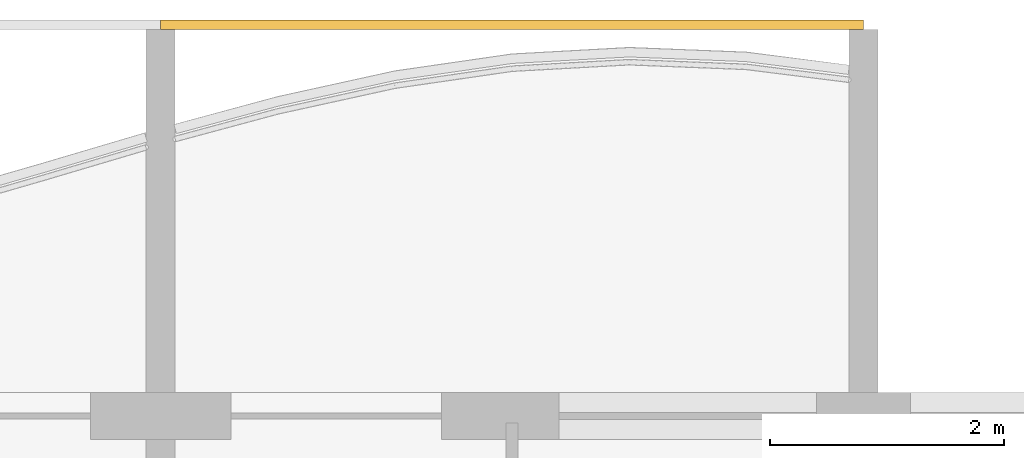
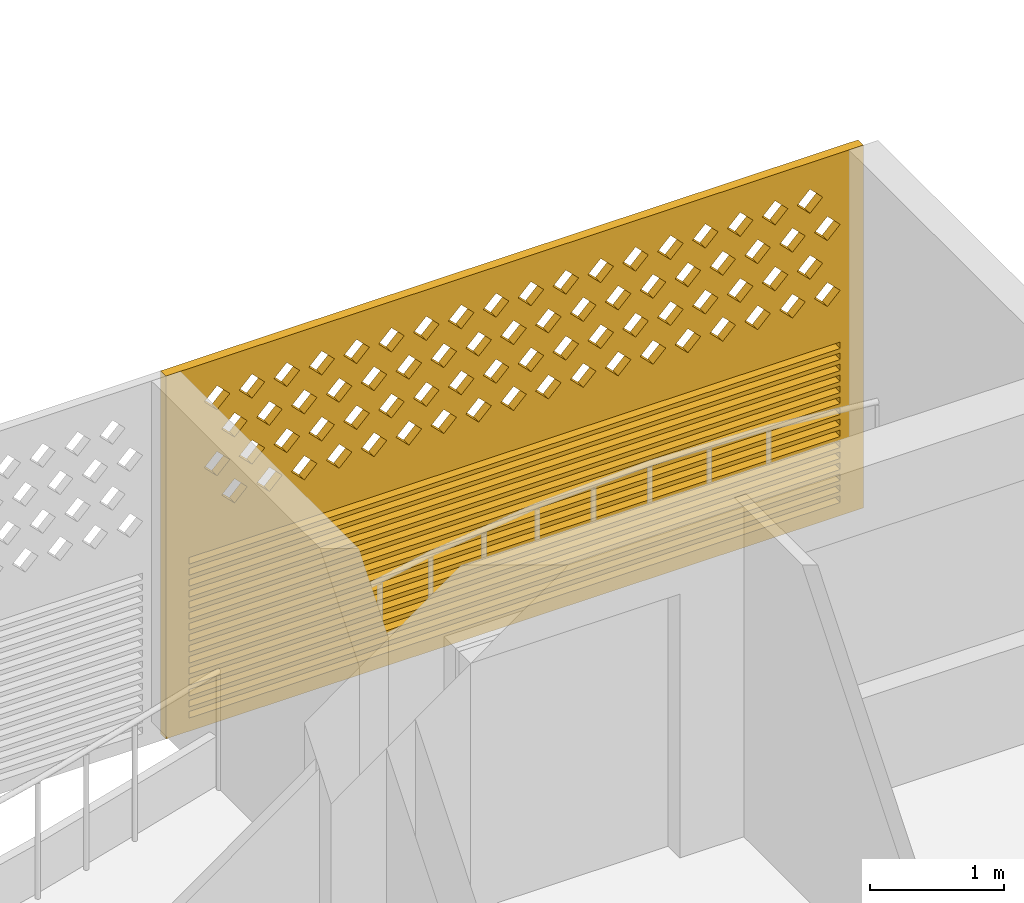
# One storey, part 21 of 27: 1 covering.
"""IFC4 building model written with IfcOpenShell, lengths in metres."""

from ifc_helpers import new_model, si_unit, direction, frame, origin, place, context, subcontext, project, spatial, polyline, outline, extrude, source, transform, mapped, material, material_profile, profile_set, type_object, element, save


model = new_model("IFC4")

# Units and contexts
model_context = context("Model", 3, precision=1e-05, world=origin(), true_north=direction((0.0, 1.0)))
body_context = subcontext(model_context, "Body", "Model", "MODEL_VIEW")
ifc_project = project(units=[si_unit("LENGTHUNIT", "METRE"), si_unit("AREAUNIT", "SQUARE_METRE"), si_unit("VOLUMEUNIT", "CUBIC_METRE"), si_unit("PLANEANGLEUNIT", "RADIAN"), si_unit("MASSUNIT", "GRAM", prefix="KILO")], contexts=[model_context])

# Site, building, storey
site_placement = place(None, origin())
site = spatial("IfcSite", under=ifc_project, at=site_placement, CompositionType="ELEMENT")
building_placement = place(site_placement, origin())
building = spatial("IfcBuilding", under=site, at=building_placement, Name="Poui Terraces", CompositionType="ELEMENT")
storey_placement = place(building_placement, frame((0.0, 0.0, 208.199951171875)))
storey = spatial("IfcBuildingStorey", under=building, at=storey_placement, Name="L58", CompositionType="ELEMENT", Elevation=208.199951171875)

# Covering
ifc_material = material(Name="Terracotta screen", Category="masonry")
ifc_material_profile = material_profile(ifc_material, outline(polyline([(-3.0, -1.64990234375), (3.0, -1.64990234375), (3.0, 1.64990234375), (-3.0, 1.64990234375), (-3.0, -1.64990234375)]), holes=[polyline([(-2.800048828125, 0.39990234375), (-2.68994140625, 0.2900390625), (-2.580078125, 0.39990234375), (-2.68994140625, 0.510009765625), (-2.800048828125, 0.39990234375)]), polyline([(-2.5, 0.39990234375), (-2.389892578125, 0.2900390625), (-2.280029296875, 0.39990234375), (-2.389892578125, 0.510009765625), (-2.5, 0.39990234375)]), polyline([(-2.199951171875, 0.39990234375), (-2.090087890625, 0.2900390625), (-1.97998046875, 0.39990234375), (-2.090087890625, 0.510009765625), (-2.199951171875, 0.39990234375)]), polyline([(-1.89990234375, 0.39990234375), (-1.7900390625, 0.2900390625), (-1.679931640625, 0.39990234375), (-1.7900390625, 0.510009765625), (-1.89990234375, 0.39990234375)]), polyline([(-1.60009765625, 0.39990234375), (-1.489990234375, 0.2900390625), (-1.3798828125, 0.39990234375), (-1.489990234375, 0.510009765625), (-1.60009765625, 0.39990234375)]), polyline([(-1.300048828125, 0.39990234375), (-1.18994140625, 0.2900390625), (-1.080078125, 0.39990234375), (-1.18994140625, 0.510009765625), (-1.300048828125, 0.39990234375)]), polyline([(-1.0, 0.39990234375), (-0.889892578125, 0.2900390625), (-0.780029296875, 0.39990234375), (-0.889892578125, 0.510009765625), (-1.0, 0.39990234375)]), polyline([(-0.699951171875, 0.39990234375), (-0.590087890625, 0.2900390625), (-0.47998046875, 0.39990234375), (-0.590087890625, 0.510009765625), (-0.699951171875, 0.39990234375)]), polyline([(-0.39990234375, 0.39990234375), (-0.2900390625, 0.2900390625), (-0.179931640625, 0.39990234375), (-0.2900390625, 0.510009765625), (-0.39990234375, 0.39990234375)]), polyline([(-0.10009765625, 0.39990234375), (0.010009765625, 0.2900390625), (0.1201171875, 0.39990234375), (0.010009765625, 0.510009765625), (-0.10009765625, 0.39990234375)]), polyline([(0.199951171875, 0.39990234375), (0.31005859375, 0.2900390625), (0.419921875, 0.39990234375), (0.31005859375, 0.510009765625), (0.199951171875, 0.39990234375)]), polyline([(0.5, 0.39990234375), (0.610107421875, 0.2900390625), (0.719970703125, 0.39990234375), (0.610107421875, 0.510009765625), (0.5, 0.39990234375)]), polyline([(0.800048828125, 0.39990234375), (0.909912109375, 0.2900390625), (1.02001953125, 0.39990234375), (0.909912109375, 0.510009765625), (0.800048828125, 0.39990234375)]), polyline([(1.10009765625, 0.39990234375), (1.2099609375, 0.2900390625), (1.320068359375, 0.39990234375), (1.2099609375, 0.510009765625), (1.10009765625, 0.39990234375)]), polyline([(1.39990234375, 0.39990234375), (1.510009765625, 0.2900390625), (1.6201171875, 0.39990234375), (1.510009765625, 0.510009765625), (1.39990234375, 0.39990234375)]), polyline([(1.699951171875, 0.39990234375), (1.81005859375, 0.2900390625), (1.919921875, 0.39990234375), (1.81005859375, 0.510009765625), (1.699951171875, 0.39990234375)]), polyline([(2.0, 0.39990234375), (2.110107421875, 0.2900390625), (2.219970703125, 0.39990234375), (2.110107421875, 0.510009765625), (2.0, 0.39990234375)]), polyline([(2.300048828125, 0.39990234375), (2.409912109375, 0.2900390625), (2.52001953125, 0.39990234375), (2.409912109375, 0.510009765625), (2.300048828125, 0.39990234375)]), polyline([(-2.64990234375, 0.699951171875), (-2.5400390625, 0.590087890625), (-2.429931640625, 0.699951171875), (-2.5400390625, 0.81005859375), (-2.64990234375, 0.699951171875)]), polyline([(-2.35009765625, 0.699951171875), (-2.239990234375, 0.590087890625), (-2.1298828125, 0.699951171875), (-2.239990234375, 0.81005859375), (-2.35009765625, 0.699951171875)]), polyline([(-2.050048828125, 0.699951171875), (-1.93994140625, 0.590087890625), (-1.830078125, 0.699951171875), (-1.93994140625, 0.81005859375), (-2.050048828125, 0.699951171875)]), polyline([(-1.75, 0.699951171875), (-1.639892578125, 0.590087890625), (-1.530029296875, 0.699951171875), (-1.639892578125, 0.81005859375), (-1.75, 0.699951171875)]), polyline([(-1.449951171875, 0.699951171875), (-1.340087890625, 0.590087890625), (-1.22998046875, 0.699951171875), (-1.340087890625, 0.81005859375), (-1.449951171875, 0.699951171875)]), polyline([(-1.14990234375, 0.699951171875), (-1.0400390625, 0.590087890625), (-0.929931640625, 0.699951171875), (-1.0400390625, 0.81005859375), (-1.14990234375, 0.699951171875)]), polyline([(-0.85009765625, 0.699951171875), (-0.739990234375, 0.590087890625), (-0.6298828125, 0.699951171875), (-0.739990234375, 0.81005859375), (-0.85009765625, 0.699951171875)]), polyline([(-0.550048828125, 0.699951171875), (-0.43994140625, 0.590087890625), (-0.330078125, 0.699951171875), (-0.43994140625, 0.81005859375), (-0.550048828125, 0.699951171875)]), polyline([(-0.25, 0.699951171875), (-0.139892578125, 0.590087890625), (-0.030029296875, 0.699951171875), (-0.139892578125, 0.81005859375), (-0.25, 0.699951171875)]), polyline([(0.050048828125, 0.699951171875), (0.159912109375, 0.590087890625), (0.27001953125, 0.699951171875), (0.159912109375, 0.81005859375), (0.050048828125, 0.699951171875)]), polyline([(0.35009765625, 0.699951171875), (0.4599609375, 0.590087890625), (0.570068359375, 0.699951171875), (0.4599609375, 0.81005859375), (0.35009765625, 0.699951171875)]), polyline([(0.64990234375, 0.699951171875), (0.760009765625, 0.590087890625), (0.8701171875, 0.699951171875), (0.760009765625, 0.81005859375), (0.64990234375, 0.699951171875)]), polyline([(0.949951171875, 0.699951171875), (1.06005859375, 0.590087890625), (1.169921875, 0.699951171875), (1.06005859375, 0.81005859375), (0.949951171875, 0.699951171875)]), polyline([(1.25, 0.699951171875), (1.360107421875, 0.590087890625), (1.469970703125, 0.699951171875), (1.360107421875, 0.81005859375), (1.25, 0.699951171875)]), polyline([(1.550048828125, 0.699951171875), (1.659912109375, 0.590087890625), (1.77001953125, 0.699951171875), (1.659912109375, 0.81005859375), (1.550048828125, 0.699951171875)]), polyline([(1.85009765625, 0.699951171875), (1.9599609375, 0.590087890625), (2.070068359375, 0.699951171875), (1.9599609375, 0.81005859375), (1.85009765625, 0.699951171875)]), polyline([(2.14990234375, 0.699951171875), (2.260009765625, 0.590087890625), (2.3701171875, 0.699951171875), (2.260009765625, 0.81005859375), (2.14990234375, 0.699951171875)]), polyline([(2.449951171875, 0.699951171875), (2.56005859375, 0.590087890625), (2.669921875, 0.699951171875), (2.56005859375, 0.81005859375), (2.449951171875, 0.699951171875)]), polyline([(-2.800048828125, 1.0), (-2.68994140625, 0.889892578125), (-2.580078125, 1.0), (-2.68994140625, 1.110107421875), (-2.800048828125, 1.0)]), polyline([(-2.5, 1.0), (-2.389892578125, 0.889892578125), (-2.280029296875, 1.0), (-2.389892578125, 1.110107421875), (-2.5, 1.0)]), polyline([(-2.199951171875, 1.0), (-2.090087890625, 0.889892578125), (-1.97998046875, 1.0), (-2.090087890625, 1.110107421875), (-2.199951171875, 1.0)]), polyline([(-1.89990234375, 1.0), (-1.7900390625, 0.889892578125), (-1.679931640625, 1.0), (-1.7900390625, 1.110107421875), (-1.89990234375, 1.0)]), polyline([(-1.60009765625, 1.0), (-1.489990234375, 0.889892578125), (-1.3798828125, 1.0), (-1.489990234375, 1.110107421875), (-1.60009765625, 1.0)]), polyline([(-1.300048828125, 1.0), (-1.18994140625, 0.889892578125), (-1.080078125, 1.0), (-1.18994140625, 1.110107421875), (-1.300048828125, 1.0)]), polyline([(-1.0, 1.0), (-0.889892578125, 0.889892578125), (-0.780029296875, 1.0), (-0.889892578125, 1.110107421875), (-1.0, 1.0)]), polyline([(-0.699951171875, 1.0), (-0.590087890625, 0.889892578125), (-0.47998046875, 1.0), (-0.590087890625, 1.110107421875), (-0.699951171875, 1.0)]), polyline([(-0.39990234375, 1.0), (-0.2900390625, 0.889892578125), (-0.179931640625, 1.0), (-0.2900390625, 1.110107421875), (-0.39990234375, 1.0)]), polyline([(-0.10009765625, 1.0), (0.010009765625, 0.889892578125), (0.1201171875, 1.0), (0.010009765625, 1.110107421875), (-0.10009765625, 1.0)]), polyline([(0.199951171875, 1.0), (0.31005859375, 0.889892578125), (0.419921875, 1.0), (0.31005859375, 1.110107421875), (0.199951171875, 1.0)]), polyline([(0.5, 1.0), (0.610107421875, 0.889892578125), (0.719970703125, 1.0), (0.610107421875, 1.110107421875), (0.5, 1.0)]), polyline([(0.800048828125, 1.0), (0.909912109375, 0.889892578125), (1.02001953125, 1.0), (0.909912109375, 1.110107421875), (0.800048828125, 1.0)]), polyline([(1.10009765625, 1.0), (1.2099609375, 0.889892578125), (1.320068359375, 1.0), (1.2099609375, 1.110107421875), (1.10009765625, 1.0)]), polyline([(1.39990234375, 1.0), (1.510009765625, 0.889892578125), (1.6201171875, 1.0), (1.510009765625, 1.110107421875), (1.39990234375, 1.0)]), polyline([(1.699951171875, 1.0), (1.81005859375, 0.889892578125), (1.919921875, 1.0), (1.81005859375, 1.110107421875), (1.699951171875, 1.0)]), polyline([(2.0, 1.0), (2.110107421875, 0.889892578125), (2.219970703125, 1.0), (2.110107421875, 1.110107421875), (2.0, 1.0)]), polyline([(2.300048828125, 1.0), (2.409912109375, 0.889892578125), (2.52001953125, 1.0), (2.409912109375, 1.110107421875), (2.300048828125, 1.0)]), polyline([(-2.64990234375, 1.300048828125), (-2.5400390625, 1.18994140625), (-2.429931640625, 1.300048828125), (-2.5400390625, 1.409912109375), (-2.64990234375, 1.300048828125)]), polyline([(-2.35009765625, 1.300048828125), (-2.239990234375, 1.18994140625), (-2.1298828125, 1.300048828125), (-2.239990234375, 1.409912109375), (-2.35009765625, 1.300048828125)]), polyline([(-2.050048828125, 1.300048828125), (-1.93994140625, 1.18994140625), (-1.830078125, 1.300048828125), (-1.93994140625, 1.409912109375), (-2.050048828125, 1.300048828125)]), polyline([(-1.75, 1.300048828125), (-1.639892578125, 1.18994140625), (-1.530029296875, 1.300048828125), (-1.639892578125, 1.409912109375), (-1.75, 1.300048828125)]), polyline([(-1.449951171875, 1.300048828125), (-1.340087890625, 1.18994140625), (-1.22998046875, 1.300048828125), (-1.340087890625, 1.409912109375), (-1.449951171875, 1.300048828125)]), polyline([(-1.14990234375, 1.300048828125), (-1.0400390625, 1.18994140625), (-0.929931640625, 1.300048828125), (-1.0400390625, 1.409912109375), (-1.14990234375, 1.300048828125)]), polyline([(-0.85009765625, 1.300048828125), (-0.739990234375, 1.18994140625), (-0.6298828125, 1.300048828125), (-0.739990234375, 1.409912109375), (-0.85009765625, 1.300048828125)]), polyline([(-0.550048828125, 1.300048828125), (-0.43994140625, 1.18994140625), (-0.330078125, 1.300048828125), (-0.43994140625, 1.409912109375), (-0.550048828125, 1.300048828125)]), polyline([(-0.25, 1.300048828125), (-0.139892578125, 1.18994140625), (-0.030029296875, 1.300048828125), (-0.139892578125, 1.409912109375), (-0.25, 1.300048828125)]), polyline([(0.050048828125, 1.300048828125), (0.159912109375, 1.18994140625), (0.27001953125, 1.300048828125), (0.159912109375, 1.409912109375), (0.050048828125, 1.300048828125)]), polyline([(0.35009765625, 1.300048828125), (0.4599609375, 1.18994140625), (0.570068359375, 1.300048828125), (0.4599609375, 1.409912109375), (0.35009765625, 1.300048828125)]), polyline([(0.64990234375, 1.300048828125), (0.760009765625, 1.18994140625), (0.8701171875, 1.300048828125), (0.760009765625, 1.409912109375), (0.64990234375, 1.300048828125)]), polyline([(0.949951171875, 1.300048828125), (1.06005859375, 1.18994140625), (1.169921875, 1.300048828125), (1.06005859375, 1.409912109375), (0.949951171875, 1.300048828125)]), polyline([(1.25, 1.300048828125), (1.360107421875, 1.18994140625), (1.469970703125, 1.300048828125), (1.360107421875, 1.409912109375), (1.25, 1.300048828125)]), polyline([(1.550048828125, 1.300048828125), (1.659912109375, 1.18994140625), (1.77001953125, 1.300048828125), (1.659912109375, 1.409912109375), (1.550048828125, 1.300048828125)]), polyline([(1.85009765625, 1.300048828125), (1.9599609375, 1.18994140625), (2.070068359375, 1.300048828125), (1.9599609375, 1.409912109375), (1.85009765625, 1.300048828125)]), polyline([(2.14990234375, 1.300048828125), (2.260009765625, 1.18994140625), (2.3701171875, 1.300048828125), (2.260009765625, 1.409912109375), (2.14990234375, 1.300048828125)]), polyline([(2.449951171875, 1.300048828125), (2.56005859375, 1.18994140625), (2.669921875, 1.300048828125), (2.56005859375, 1.409912109375), (2.449951171875, 1.300048828125)]), polyline([(-2.800048828125, -1.530029296875), (2.800048828125, -1.530029296875), (2.800048828125, -1.469970703125), (-2.800048828125, -1.469970703125), (-2.800048828125, -1.530029296875)]), polyline([(-2.800048828125, -1.429931640625), (2.800048828125, -1.429931640625), (2.800048828125, -1.3701171875), (-2.800048828125, -1.3701171875), (-2.800048828125, -1.429931640625)]), polyline([(-2.800048828125, -1.330078125), (2.800048828125, -1.330078125), (2.800048828125, -1.27001953125), (-2.800048828125, -1.27001953125), (-2.800048828125, -1.330078125)]), polyline([(-2.800048828125, -1.22998046875), (2.800048828125, -1.22998046875), (2.800048828125, -1.169921875), (-2.800048828125, -1.169921875), (-2.800048828125, -1.22998046875)]), polyline([(-2.800048828125, -1.1298828125), (2.800048828125, -1.1298828125), (2.800048828125, -1.070068359375), (-2.800048828125, -1.070068359375), (-2.800048828125, -1.1298828125)]), polyline([(-2.800048828125, -1.030029296875), (2.800048828125, -1.030029296875), (2.800048828125, -0.969970703125), (-2.800048828125, -0.969970703125), (-2.800048828125, -1.030029296875)]), polyline([(-2.800048828125, -0.929931640625), (2.800048828125, -0.929931640625), (2.800048828125, -0.8701171875), (-2.800048828125, -0.8701171875), (-2.800048828125, -0.929931640625)]), polyline([(-2.800048828125, -0.830078125), (2.800048828125, -0.830078125), (2.800048828125, -0.77001953125), (-2.800048828125, -0.77001953125), (-2.800048828125, -0.830078125)]), polyline([(-2.800048828125, -0.72998046875), (2.800048828125, -0.72998046875), (2.800048828125, -0.669921875), (-2.800048828125, -0.669921875), (-2.800048828125, -0.72998046875)]), polyline([(-2.800048828125, -0.6298828125), (2.800048828125, -0.6298828125), (2.800048828125, -0.570068359375), (-2.800048828125, -0.570068359375), (-2.800048828125, -0.6298828125)]), polyline([(-2.800048828125, -0.530029296875), (2.800048828125, -0.530029296875), (2.800048828125, -0.469970703125), (-2.800048828125, -0.469970703125), (-2.800048828125, -0.530029296875)]), polyline([(-2.800048828125, -0.429931640625), (2.800048828125, -0.429931640625), (2.800048828125, -0.3701171875), (-2.800048828125, -0.3701171875), (-2.800048828125, -0.429931640625)]), polyline([(-2.800048828125, -0.330078125), (2.800048828125, -0.330078125), (2.800048828125, -0.27001953125), (-2.800048828125, -0.27001953125), (-2.800048828125, -0.330078125)]), polyline([(-2.800048828125, -0.22998046875), (2.800048828125, -0.22998046875), (2.800048828125, -0.169921875), (-2.800048828125, -0.169921875), (-2.800048828125, -0.22998046875)]), polyline([(-2.800048828125, -0.1298828125), (2.800048828125, -0.1298828125), (2.800048828125, -0.070068359375), (-2.800048828125, -0.070068359375), (-2.800048828125, -0.1298828125)])]), Name="TERRACOTTA SCREEN AND JALOUSIE LOUVRE 6000X3300")
ifc_profile_set = profile_set([ifc_material_profile], Name="Terracotta screen")
covering_type = type_object("IfcCoveringType", Name="TERRACOTTA SCREEN AND JALOUSIE LOUVRE 6000X3300", PredefinedType="CLADDING", material=ifc_profile_set)
shared_shape = source(origin(), body_context, "Body", "SweptSolid", [
    extrude(outline(polyline([(-3.0, -1.64990234375), (3.0, -1.64990234375), (3.0, 1.64990234375), (-3.0, 1.64990234375), (-3.0, -1.64990234375)]), holes=[polyline([(-2.800048828125, 0.39990234375), (-2.68994140625, 0.2900390625), (-2.580078125, 0.39990234375), (-2.68994140625, 0.510009765625), (-2.800048828125, 0.39990234375)]), polyline([(-2.5, 0.39990234375), (-2.389892578125, 0.2900390625), (-2.280029296875, 0.39990234375), (-2.389892578125, 0.510009765625), (-2.5, 0.39990234375)]), polyline([(-2.199951171875, 0.39990234375), (-2.090087890625, 0.2900390625), (-1.97998046875, 0.39990234375), (-2.090087890625, 0.510009765625), (-2.199951171875, 0.39990234375)]), polyline([(-1.89990234375, 0.39990234375), (-1.7900390625, 0.2900390625), (-1.679931640625, 0.39990234375), (-1.7900390625, 0.510009765625), (-1.89990234375, 0.39990234375)]), polyline([(-1.60009765625, 0.39990234375), (-1.489990234375, 0.2900390625), (-1.3798828125, 0.39990234375), (-1.489990234375, 0.510009765625), (-1.60009765625, 0.39990234375)]), polyline([(-1.300048828125, 0.39990234375), (-1.18994140625, 0.2900390625), (-1.080078125, 0.39990234375), (-1.18994140625, 0.510009765625), (-1.300048828125, 0.39990234375)]), polyline([(-1.0, 0.39990234375), (-0.889892578125, 0.2900390625), (-0.780029296875, 0.39990234375), (-0.889892578125, 0.510009765625), (-1.0, 0.39990234375)]), polyline([(-0.699951171875, 0.39990234375), (-0.590087890625, 0.2900390625), (-0.47998046875, 0.39990234375), (-0.590087890625, 0.510009765625), (-0.699951171875, 0.39990234375)]), polyline([(-0.39990234375, 0.39990234375), (-0.2900390625, 0.2900390625), (-0.179931640625, 0.39990234375), (-0.2900390625, 0.510009765625), (-0.39990234375, 0.39990234375)]), polyline([(-0.10009765625, 0.39990234375), (0.010009765625, 0.2900390625), (0.1201171875, 0.39990234375), (0.010009765625, 0.510009765625), (-0.10009765625, 0.39990234375)]), polyline([(0.199951171875, 0.39990234375), (0.31005859375, 0.2900390625), (0.419921875, 0.39990234375), (0.31005859375, 0.510009765625), (0.199951171875, 0.39990234375)]), polyline([(0.5, 0.39990234375), (0.610107421875, 0.2900390625), (0.719970703125, 0.39990234375), (0.610107421875, 0.510009765625), (0.5, 0.39990234375)]), polyline([(0.800048828125, 0.39990234375), (0.909912109375, 0.2900390625), (1.02001953125, 0.39990234375), (0.909912109375, 0.510009765625), (0.800048828125, 0.39990234375)]), polyline([(1.10009765625, 0.39990234375), (1.2099609375, 0.2900390625), (1.320068359375, 0.39990234375), (1.2099609375, 0.510009765625), (1.10009765625, 0.39990234375)]), polyline([(1.39990234375, 0.39990234375), (1.510009765625, 0.2900390625), (1.6201171875, 0.39990234375), (1.510009765625, 0.510009765625), (1.39990234375, 0.39990234375)]), polyline([(1.699951171875, 0.39990234375), (1.81005859375, 0.2900390625), (1.919921875, 0.39990234375), (1.81005859375, 0.510009765625), (1.699951171875, 0.39990234375)]), polyline([(2.0, 0.39990234375), (2.110107421875, 0.2900390625), (2.219970703125, 0.39990234375), (2.110107421875, 0.510009765625), (2.0, 0.39990234375)]), polyline([(2.300048828125, 0.39990234375), (2.409912109375, 0.2900390625), (2.52001953125, 0.39990234375), (2.409912109375, 0.510009765625), (2.300048828125, 0.39990234375)]), polyline([(-2.64990234375, 0.699951171875), (-2.5400390625, 0.590087890625), (-2.429931640625, 0.699951171875), (-2.5400390625, 0.81005859375), (-2.64990234375, 0.699951171875)]), polyline([(-2.35009765625, 0.699951171875), (-2.239990234375, 0.590087890625), (-2.1298828125, 0.699951171875), (-2.239990234375, 0.81005859375), (-2.35009765625, 0.699951171875)]), polyline([(-2.050048828125, 0.699951171875), (-1.93994140625, 0.590087890625), (-1.830078125, 0.699951171875), (-1.93994140625, 0.81005859375), (-2.050048828125, 0.699951171875)]), polyline([(-1.75, 0.699951171875), (-1.639892578125, 0.590087890625), (-1.530029296875, 0.699951171875), (-1.639892578125, 0.81005859375), (-1.75, 0.699951171875)]), polyline([(-1.449951171875, 0.699951171875), (-1.340087890625, 0.590087890625), (-1.22998046875, 0.699951171875), (-1.340087890625, 0.81005859375), (-1.449951171875, 0.699951171875)]), polyline([(-1.14990234375, 0.699951171875), (-1.0400390625, 0.590087890625), (-0.929931640625, 0.699951171875), (-1.0400390625, 0.81005859375), (-1.14990234375, 0.699951171875)]), polyline([(-0.85009765625, 0.699951171875), (-0.739990234375, 0.590087890625), (-0.6298828125, 0.699951171875), (-0.739990234375, 0.81005859375), (-0.85009765625, 0.699951171875)]), polyline([(-0.550048828125, 0.699951171875), (-0.43994140625, 0.590087890625), (-0.330078125, 0.699951171875), (-0.43994140625, 0.81005859375), (-0.550048828125, 0.699951171875)]), polyline([(-0.25, 0.699951171875), (-0.139892578125, 0.590087890625), (-0.030029296875, 0.699951171875), (-0.139892578125, 0.81005859375), (-0.25, 0.699951171875)]), polyline([(0.050048828125, 0.699951171875), (0.159912109375, 0.590087890625), (0.27001953125, 0.699951171875), (0.159912109375, 0.81005859375), (0.050048828125, 0.699951171875)]), polyline([(0.35009765625, 0.699951171875), (0.4599609375, 0.590087890625), (0.570068359375, 0.699951171875), (0.4599609375, 0.81005859375), (0.35009765625, 0.699951171875)]), polyline([(0.64990234375, 0.699951171875), (0.760009765625, 0.590087890625), (0.8701171875, 0.699951171875), (0.760009765625, 0.81005859375), (0.64990234375, 0.699951171875)]), polyline([(0.949951171875, 0.699951171875), (1.06005859375, 0.590087890625), (1.169921875, 0.699951171875), (1.06005859375, 0.81005859375), (0.949951171875, 0.699951171875)]), polyline([(1.25, 0.699951171875), (1.360107421875, 0.590087890625), (1.469970703125, 0.699951171875), (1.360107421875, 0.81005859375), (1.25, 0.699951171875)]), polyline([(1.550048828125, 0.699951171875), (1.659912109375, 0.590087890625), (1.77001953125, 0.699951171875), (1.659912109375, 0.81005859375), (1.550048828125, 0.699951171875)]), polyline([(1.85009765625, 0.699951171875), (1.9599609375, 0.590087890625), (2.070068359375, 0.699951171875), (1.9599609375, 0.81005859375), (1.85009765625, 0.699951171875)]), polyline([(2.14990234375, 0.699951171875), (2.260009765625, 0.590087890625), (2.3701171875, 0.699951171875), (2.260009765625, 0.81005859375), (2.14990234375, 0.699951171875)]), polyline([(2.449951171875, 0.699951171875), (2.56005859375, 0.590087890625), (2.669921875, 0.699951171875), (2.56005859375, 0.81005859375), (2.449951171875, 0.699951171875)]), polyline([(-2.800048828125, 1.0), (-2.68994140625, 0.889892578125), (-2.580078125, 1.0), (-2.68994140625, 1.110107421875), (-2.800048828125, 1.0)]), polyline([(-2.5, 1.0), (-2.389892578125, 0.889892578125), (-2.280029296875, 1.0), (-2.389892578125, 1.110107421875), (-2.5, 1.0)]), polyline([(-2.199951171875, 1.0), (-2.090087890625, 0.889892578125), (-1.97998046875, 1.0), (-2.090087890625, 1.110107421875), (-2.199951171875, 1.0)]), polyline([(-1.89990234375, 1.0), (-1.7900390625, 0.889892578125), (-1.679931640625, 1.0), (-1.7900390625, 1.110107421875), (-1.89990234375, 1.0)]), polyline([(-1.60009765625, 1.0), (-1.489990234375, 0.889892578125), (-1.3798828125, 1.0), (-1.489990234375, 1.110107421875), (-1.60009765625, 1.0)]), polyline([(-1.300048828125, 1.0), (-1.18994140625, 0.889892578125), (-1.080078125, 1.0), (-1.18994140625, 1.110107421875), (-1.300048828125, 1.0)]), polyline([(-1.0, 1.0), (-0.889892578125, 0.889892578125), (-0.780029296875, 1.0), (-0.889892578125, 1.110107421875), (-1.0, 1.0)]), polyline([(-0.699951171875, 1.0), (-0.590087890625, 0.889892578125), (-0.47998046875, 1.0), (-0.590087890625, 1.110107421875), (-0.699951171875, 1.0)]), polyline([(-0.39990234375, 1.0), (-0.2900390625, 0.889892578125), (-0.179931640625, 1.0), (-0.2900390625, 1.110107421875), (-0.39990234375, 1.0)]), polyline([(-0.10009765625, 1.0), (0.010009765625, 0.889892578125), (0.1201171875, 1.0), (0.010009765625, 1.110107421875), (-0.10009765625, 1.0)]), polyline([(0.199951171875, 1.0), (0.31005859375, 0.889892578125), (0.419921875, 1.0), (0.31005859375, 1.110107421875), (0.199951171875, 1.0)]), polyline([(0.5, 1.0), (0.610107421875, 0.889892578125), (0.719970703125, 1.0), (0.610107421875, 1.110107421875), (0.5, 1.0)]), polyline([(0.800048828125, 1.0), (0.909912109375, 0.889892578125), (1.02001953125, 1.0), (0.909912109375, 1.110107421875), (0.800048828125, 1.0)]), polyline([(1.10009765625, 1.0), (1.2099609375, 0.889892578125), (1.320068359375, 1.0), (1.2099609375, 1.110107421875), (1.10009765625, 1.0)]), polyline([(1.39990234375, 1.0), (1.510009765625, 0.889892578125), (1.6201171875, 1.0), (1.510009765625, 1.110107421875), (1.39990234375, 1.0)]), polyline([(1.699951171875, 1.0), (1.81005859375, 0.889892578125), (1.919921875, 1.0), (1.81005859375, 1.110107421875), (1.699951171875, 1.0)]), polyline([(2.0, 1.0), (2.110107421875, 0.889892578125), (2.219970703125, 1.0), (2.110107421875, 1.110107421875), (2.0, 1.0)]), polyline([(2.300048828125, 1.0), (2.409912109375, 0.889892578125), (2.52001953125, 1.0), (2.409912109375, 1.110107421875), (2.300048828125, 1.0)]), polyline([(-2.64990234375, 1.300048828125), (-2.5400390625, 1.18994140625), (-2.429931640625, 1.300048828125), (-2.5400390625, 1.409912109375), (-2.64990234375, 1.300048828125)]), polyline([(-2.35009765625, 1.300048828125), (-2.239990234375, 1.18994140625), (-2.1298828125, 1.300048828125), (-2.239990234375, 1.409912109375), (-2.35009765625, 1.300048828125)]), polyline([(-2.050048828125, 1.300048828125), (-1.93994140625, 1.18994140625), (-1.830078125, 1.300048828125), (-1.93994140625, 1.409912109375), (-2.050048828125, 1.300048828125)]), polyline([(-1.75, 1.300048828125), (-1.639892578125, 1.18994140625), (-1.530029296875, 1.300048828125), (-1.639892578125, 1.409912109375), (-1.75, 1.300048828125)]), polyline([(-1.449951171875, 1.300048828125), (-1.340087890625, 1.18994140625), (-1.22998046875, 1.300048828125), (-1.340087890625, 1.409912109375), (-1.449951171875, 1.300048828125)]), polyline([(-1.14990234375, 1.300048828125), (-1.0400390625, 1.18994140625), (-0.929931640625, 1.300048828125), (-1.0400390625, 1.409912109375), (-1.14990234375, 1.300048828125)]), polyline([(-0.85009765625, 1.300048828125), (-0.739990234375, 1.18994140625), (-0.6298828125, 1.300048828125), (-0.739990234375, 1.409912109375), (-0.85009765625, 1.300048828125)]), polyline([(-0.550048828125, 1.300048828125), (-0.43994140625, 1.18994140625), (-0.330078125, 1.300048828125), (-0.43994140625, 1.409912109375), (-0.550048828125, 1.300048828125)]), polyline([(-0.25, 1.300048828125), (-0.139892578125, 1.18994140625), (-0.030029296875, 1.300048828125), (-0.139892578125, 1.409912109375), (-0.25, 1.300048828125)]), polyline([(0.050048828125, 1.300048828125), (0.159912109375, 1.18994140625), (0.27001953125, 1.300048828125), (0.159912109375, 1.409912109375), (0.050048828125, 1.300048828125)]), polyline([(0.35009765625, 1.300048828125), (0.4599609375, 1.18994140625), (0.570068359375, 1.300048828125), (0.4599609375, 1.409912109375), (0.35009765625, 1.300048828125)]), polyline([(0.64990234375, 1.300048828125), (0.760009765625, 1.18994140625), (0.8701171875, 1.300048828125), (0.760009765625, 1.409912109375), (0.64990234375, 1.300048828125)]), polyline([(0.949951171875, 1.300048828125), (1.06005859375, 1.18994140625), (1.169921875, 1.300048828125), (1.06005859375, 1.409912109375), (0.949951171875, 1.300048828125)]), polyline([(1.25, 1.300048828125), (1.360107421875, 1.18994140625), (1.469970703125, 1.300048828125), (1.360107421875, 1.409912109375), (1.25, 1.300048828125)]), polyline([(1.550048828125, 1.300048828125), (1.659912109375, 1.18994140625), (1.77001953125, 1.300048828125), (1.659912109375, 1.409912109375), (1.550048828125, 1.300048828125)]), polyline([(1.85009765625, 1.300048828125), (1.9599609375, 1.18994140625), (2.070068359375, 1.300048828125), (1.9599609375, 1.409912109375), (1.85009765625, 1.300048828125)]), polyline([(2.14990234375, 1.300048828125), (2.260009765625, 1.18994140625), (2.3701171875, 1.300048828125), (2.260009765625, 1.409912109375), (2.14990234375, 1.300048828125)]), polyline([(2.449951171875, 1.300048828125), (2.56005859375, 1.18994140625), (2.669921875, 1.300048828125), (2.56005859375, 1.409912109375), (2.449951171875, 1.300048828125)]), polyline([(-2.800048828125, -1.530029296875), (2.800048828125, -1.530029296875), (2.800048828125, -1.469970703125), (-2.800048828125, -1.469970703125), (-2.800048828125, -1.530029296875)]), polyline([(-2.800048828125, -1.429931640625), (2.800048828125, -1.429931640625), (2.800048828125, -1.3701171875), (-2.800048828125, -1.3701171875), (-2.800048828125, -1.429931640625)]), polyline([(-2.800048828125, -1.330078125), (2.800048828125, -1.330078125), (2.800048828125, -1.27001953125), (-2.800048828125, -1.27001953125), (-2.800048828125, -1.330078125)]), polyline([(-2.800048828125, -1.22998046875), (2.800048828125, -1.22998046875), (2.800048828125, -1.169921875), (-2.800048828125, -1.169921875), (-2.800048828125, -1.22998046875)]), polyline([(-2.800048828125, -1.1298828125), (2.800048828125, -1.1298828125), (2.800048828125, -1.070068359375), (-2.800048828125, -1.070068359375), (-2.800048828125, -1.1298828125)]), polyline([(-2.800048828125, -1.030029296875), (2.800048828125, -1.030029296875), (2.800048828125, -0.969970703125), (-2.800048828125, -0.969970703125), (-2.800048828125, -1.030029296875)]), polyline([(-2.800048828125, -0.929931640625), (2.800048828125, -0.929931640625), (2.800048828125, -0.8701171875), (-2.800048828125, -0.8701171875), (-2.800048828125, -0.929931640625)]), polyline([(-2.800048828125, -0.830078125), (2.800048828125, -0.830078125), (2.800048828125, -0.77001953125), (-2.800048828125, -0.77001953125), (-2.800048828125, -0.830078125)]), polyline([(-2.800048828125, -0.72998046875), (2.800048828125, -0.72998046875), (2.800048828125, -0.669921875), (-2.800048828125, -0.669921875), (-2.800048828125, -0.72998046875)]), polyline([(-2.800048828125, -0.6298828125), (2.800048828125, -0.6298828125), (2.800048828125, -0.570068359375), (-2.800048828125, -0.570068359375), (-2.800048828125, -0.6298828125)]), polyline([(-2.800048828125, -0.530029296875), (2.800048828125, -0.530029296875), (2.800048828125, -0.469970703125), (-2.800048828125, -0.469970703125), (-2.800048828125, -0.530029296875)]), polyline([(-2.800048828125, -0.429931640625), (2.800048828125, -0.429931640625), (2.800048828125, -0.3701171875), (-2.800048828125, -0.3701171875), (-2.800048828125, -0.429931640625)]), polyline([(-2.800048828125, -0.330078125), (2.800048828125, -0.330078125), (2.800048828125, -0.27001953125), (-2.800048828125, -0.27001953125), (-2.800048828125, -0.330078125)]), polyline([(-2.800048828125, -0.22998046875), (2.800048828125, -0.22998046875), (2.800048828125, -0.169921875), (-2.800048828125, -0.169921875), (-2.800048828125, -0.22998046875)]), polyline([(-2.800048828125, -0.1298828125), (2.800048828125, -0.1298828125), (2.800048828125, -0.070068359375), (-2.800048828125, -0.070068359375), (-2.800048828125, -0.1298828125)])]), origin(), (0.0, 0.0, 1.0), 0.080078125),
])
covering_placement = place(storey_placement, frame((39.0, 44.5, 1.449951171875), z_axis=(0.0, 1.0, 0.0), x_axis=(-1.0, 0.0, 0.0)))
element("IfcCovering", 1, at=covering_placement, inside=storey, type_object=covering_type, Name="SOLAR SCREEN AND JALOUSIE LOUVRE", PredefinedType="CLADDING", context=body_context, shape_type="MappedRepresentation", body=[
    mapped(shared_shape, transform((0.0, 0.0, 0.0))),
])

save(model, "model.ifc")
